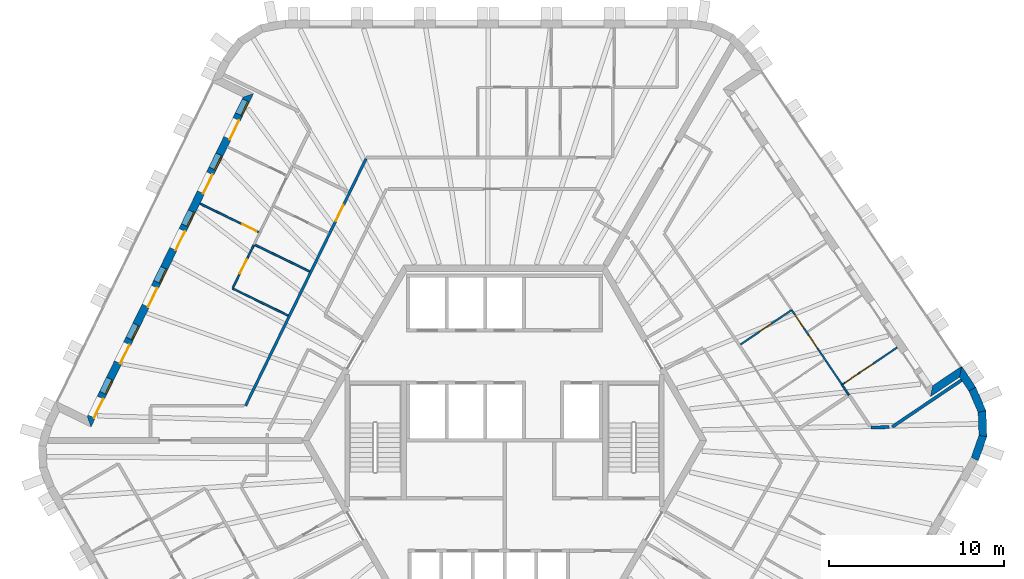
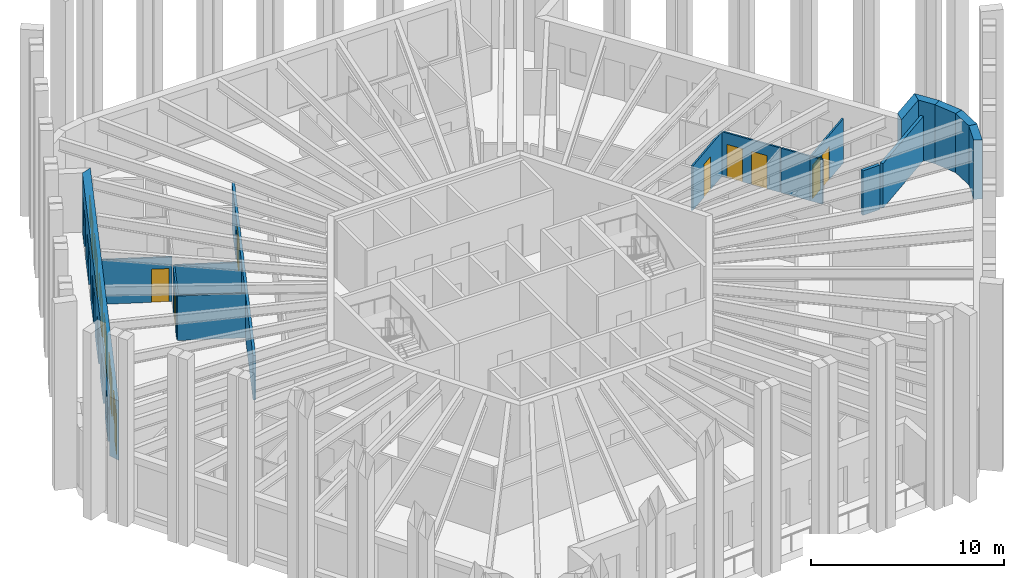
# One storey, part 7 of 12: 18 walls, 14 doors, 6 windows, 20 openings.
"""IFC4 building model written with IfcOpenShell, lengths in metres."""

from ifc_helpers import new_model, si_unit, direction, frame, frame_2d, origin, place, context, subcontext, project, spatial, polyline, rectangle, outline, extrude, material, layer, layer_set, type_object, element, fill, save


model = new_model("IFC4")

# Units and contexts
model_context = context("Model", 3, precision=1e-05, world=origin(), true_north=direction((0.0, 1.0)))
body_context = subcontext(model_context, "Body", "Model", "MODEL_VIEW")
ifc_project = project(units=[si_unit("LENGTHUNIT", "METRE"), si_unit("AREAUNIT", "SQUARE_METRE"), si_unit("VOLUMEUNIT", "CUBIC_METRE"), si_unit("PLANEANGLEUNIT", "RADIAN"), si_unit("MASSUNIT", "GRAM", prefix="KILO")], contexts=[model_context])

# Site, building, storey
site_placement = place(None, origin())
site = spatial("IfcSite", under=ifc_project, at=site_placement, CompositionType="ELEMENT")
building_placement = place(site_placement, origin())
building = spatial("IfcBuilding", under=site, at=building_placement, Name="Tarnside Tower", CompositionType="ELEMENT")
storey_placement = place(building_placement, frame((0.0, 0.0, 349.5)))
storey = spatial("IfcBuildingStorey", under=building, at=storey_placement, Name="L84", CompositionType="ELEMENT", Elevation=349.5)

# Wall
ifc_material_1 = material(Name="Gypsum board partition on steel studs", Category="steel")
ifc_layer_1 = layer(ifc_material_1, 0.10009765625)
ifc_layer_set_1 = layer_set([ifc_layer_1], Name="Bathroom wall 100")
wall_type_1 = type_object("IfcWallType", Name="Bathroom wall 100", PredefinedType="PARTITIONING", material=ifc_layer_set_1)
wall_1_placement = place(storey_placement, frame((-14.246337890625, 11.167236328125, 0.0), z_axis=(0.0, 0.0, 1.0), x_axis=(0.89880963085, -0.438339192283, 0.0)))
element("IfcWall", 1, at=wall_1_placement, inside=storey, type_object=wall_type_1, Name="Bathroom wall 27091", PredefinedType="PARTITIONING", context=body_context, shape_type="SweptSolid", body=[
    extrude(rectangle(XDim=3.474853515625, YDim=0.10009765625, at=frame_2d((1.7373046875, 0.0))), origin(), (0.0, 0.0, 1.0), 2.820068359375),
])

# Wall, opening, door
wall_2_placement = place(storey_placement, frame((16.388427734375, 7.4453125, 0.0), z_axis=(0.0, 0.0, 1.0), x_axis=(-0.829033300448, -0.559199237078, 0.0)))
wall_2 = element("IfcWall", 2, at=wall_2_placement, inside=storey, type_object=wall_type_1, Name="Bathroom wall 27125", PredefinedType="PARTITIONING", context=body_context, shape_type="SweptSolid", body=[
    extrude(rectangle(XDim=3.525146484375, YDim=0.10009765625, at=frame_2d((1.7626953125, 0.0))), origin(), (0.0, 0.0, 1.0), 2.820068359375),
])
opening_1_placement = place(wall_2_placement, frame((1.39990234375, 0.0, 0.0)))
opening_1 = element("IfcOpeningElement", 3, at=opening_1_placement, cuts=wall_2, Name="Opening D-B1", PredefinedType="OPENING", context=body_context, shape_type="SweptSolid", body=[
    extrude(rectangle(XDim=0.800048828125, YDim=2.10009765625, at=frame_2d((0.39990234375, 1.050048828125))), frame((0.0, 0.06005859375, 0.0), z_axis=(0.0, -1.0, 0.0), x_axis=(1.0, 0.0, 0.0)), (0.0, 0.0, 1.0), 0.1201171875),
])
ifc_material_2 = material(Name="Timber door leaf", Category="wood")
door_type_1 = type_object("IfcDoorType", Name="Bathroom door 800", OperationType="NOTDEFINED", PredefinedType="DOOR", material=ifc_material_2)
door_1_placement = place(opening_1_placement, origin())
door_1 = element("IfcDoor", 4, at=door_1_placement, inside=storey, type_object=door_type_1, Name="Bathroom door 27056", OperationType="SINGLE_SWING_LEFT", OverallHeight=2.10009765625, OverallWidth=0.800048828125, PredefinedType="DOOR", context=body_context, shape_type="SweptSolid", body=[
    extrude(rectangle(XDim=0.800048828125, YDim=2.10009765625, at=frame_2d((0.39990234375, 1.050048828125))), frame((0.0, 0.02490234375, 0.0), z_axis=(0.0, -1.0, 0.0), x_axis=(1.0, 0.0, 0.0)), (0.0, 0.0, 1.0), 0.050048828125),
])
fill(opening_1, door_1)

# Walls
wall_3_placement = place(storey_placement, frame((19.660888671875, 2.59375, 0.0), z_axis=(0.0, 0.0, 1.0), x_axis=(-0.559278611344, 0.828979755418, 0.0)))
element("IfcWall", 5, at=wall_3_placement, inside=storey, type_object=wall_type_1, Name="Bathroom wall 27126", PredefinedType="PARTITIONING", context=body_context, shape_type="SweptSolid", body=[
    extrude(rectangle(XDim=0.71240234375, YDim=0.10009765625, at=frame_2d((0.356201171875, 0.0))), origin(), (0.0, 0.0, 1.0), 2.820068359375),
])
wall_4_placement = place(storey_placement, frame((19.262451171875, 3.184326171875, 0.0), z_axis=(0.0, 0.0, 1.0), x_axis=(-0.559155511525, 0.829062792514, 0.0)))
element("IfcWall", 6, at=wall_4_placement, inside=storey, type_object=wall_type_1, Name="Bathroom wall 27127", PredefinedType="PARTITIONING", context=body_context, shape_type="SweptSolid", body=[
    extrude(rectangle(XDim=1.69140625, YDim=0.10009765625, at=frame_2d((0.845703125, 0.0))), origin(), (0.0, 0.0, 1.0), 2.820068359375),
])

# Wall, opening, door
ifc_layer_2 = layer(ifc_material_1, 0.14990234375)
ifc_layer_set_2 = layer_set([ifc_layer_2], Name="Corridor wall 150 EI 60")
wall_type_2 = type_object("IfcWallType", Name="Corridor wall 150 EI 60", PredefinedType="PARTITIONING", material=ifc_layer_set_2)
wall_5_placement = place(storey_placement, frame((-7.903076171875, 16.074951171875, 0.0), z_axis=(0.0, 0.0, 1.0), x_axis=(-0.438364761272, -0.898797160696, 0.0)))
wall_5 = element("IfcWall", 7, at=wall_5_placement, inside=storey, type_object=wall_type_2, Name="Corridor wall 27002", PredefinedType="PARTITIONING", context=body_context, shape_type="SweptSolid", body=[
    extrude(rectangle(XDim=15.687744140625, YDim=0.14990234375, at=frame_2d((7.84375, 0.0))), origin(), (0.0, 0.0, 1.0), 2.820068359375),
])
opening_2_placement = place(wall_5_placement, frame((2.941650390625, 0.0, 0.0)))
opening_2 = element("IfcOpeningElement", 8, at=opening_2_placement, cuts=wall_5, Name="Opening D-E1", PredefinedType="OPENING", context=body_context, shape_type="SweptSolid", body=[
    extrude(rectangle(XDim=1.0, YDim=2.10009765625, at=frame_2d((0.5, 1.050048828125))), frame((0.0, 0.0849609375, 0.0), z_axis=(0.0, -1.0, 0.0), x_axis=(1.0, 0.0, 0.0)), (0.0, 0.0, 1.0), 0.169921875),
])
door_type_2 = type_object("IfcDoorType", Name="Unit entrance door 1000 FD30S", OperationType="NOTDEFINED", PredefinedType="DOOR", material=ifc_material_2)
door_2_placement = place(opening_2_placement, origin())
door_2 = element("IfcDoor", 9, at=door_2_placement, inside=storey, type_object=door_type_2, Name="Unit door 27011", OperationType="SINGLE_SWING_LEFT", OverallHeight=2.10009765625, OverallWidth=1.0, PredefinedType="DOOR", context=body_context, shape_type="SweptSolid", body=[
    extrude(rectangle(XDim=1.0, YDim=2.10009765625, at=frame_2d((0.5, 1.050048828125))), frame((0.0, 0.02490234375, 0.0), z_axis=(0.0, -1.0, 0.0), x_axis=(1.0, 0.0, 0.0)), (0.0, 0.0, 1.0), 0.050048828125),
])
fill(opening_2, door_2)

# Walls
ifc_layer_3 = layer(ifc_material_1, 0.179931640625)
ifc_layer_set_3 = layer_set([ifc_layer_3], Name="Demising wall 180 EI 60")
wall_type_3 = type_object("IfcWallType", Name="Demising wall 180 EI 60", PredefinedType="PARTITIONING", material=ifc_layer_set_3)
wall_6_placement = place(storey_placement, frame((26.083984375, 3.443115234375, 0.0), z_axis=(0.0, 0.0, 1.0), x_axis=(-0.829033545972, -0.559198873079, 0.0)))
element("IfcWall", 10, at=wall_6_placement, inside=storey, type_object=wall_type_3, Name="Demising wall 27110", PredefinedType="PARTITIONING", context=body_context, shape_type="SweptSolid", body=[
    extrude(rectangle(XDim=4.775390625, YDim=0.179931640625, at=frame_2d((2.3876953125, 0.0))), origin(), (0.0, 0.0, 1.0), 2.820068359375),
])
wall_7_placement = place(storey_placement, frame((21.955322265625, 0.7666015625, 0.0), z_axis=(0.0, 0.0, 1.0), x_axis=(-0.999394211814, -0.034802433729, 0.0)))
element("IfcWall", 11, at=wall_7_placement, inside=storey, type_object=wall_type_3, Name="Demising wall 27111", PredefinedType="PARTITIONING", context=body_context, shape_type="SweptSolid", body=[
    extrude(rectangle(XDim=1.038330078125, YDim=0.179931640625, at=frame_2d((0.51904296875, 0.0))), origin(), (0.0, 0.0, 1.0), 2.820068359375),
])

# Wall, openings, doors, windows
ifc_material_3 = material(Name="Dark zinc cladding")
ifc_layer_4 = layer(ifc_material_3, 0.10205078125)
ifc_material_4 = material(Name="Concrete C60/75 precast", Category="concrete")
ifc_layer_5 = layer(ifc_material_4, 0.248046875)
ifc_material_5 = material(Name="Mineral wool insulation")
ifc_layer_6 = layer(ifc_material_5, 0.10009765625)
ifc_layer_set_4 = layer_set([ifc_layer_4, ifc_layer_5, ifc_layer_6], Name="Loggia wall 450 zinc faced")
wall_type_4 = type_object("IfcWallType", Name="Loggia wall 450 zinc faced", PredefinedType="SOLIDWALL", material=ifc_layer_set_4)
wall_8_placement = place(storey_placement, frame((-14.618896484375, 19.699462890625, 0.0), z_axis=(0.0, 0.0, 1.0), x_axis=(-0.438373747484, -0.898792777851, 0.0)))
wall_8 = element("IfcWall", 12, at=wall_8_placement, inside=storey, type_object=wall_type_4, Name="Tube wall L84 F2 back 06", PredefinedType="SOLIDWALL", context=body_context, shape_type="SweptSolid", body=[
    extrude(outline(polyline([(0.224853515625, -0.22509765625), (20.50634765625, -0.22509765625), (20.95654296875, 0.22509765625), (-0.224853515625, 0.22509765625), (0.224853515625, -0.22509765625)])), origin(), (0.0, 0.0, 1.0), 3.75),
])
opening_3_placement = place(wall_8_placement, frame((0.324951171875, 0.0, 0.89990234375)))
opening_3 = element("IfcOpeningElement", 13, at=opening_3_placement, cuts=wall_8, Name="Opening WL450", PredefinedType="OPENING", context=body_context, shape_type="SweptSolid", body=[
    extrude(rectangle(XDim=0.89990234375, YDim=1.5, at=frame_2d((0.449951171875, 0.75))), frame((0.0, 0.23486328125, 0.0), z_axis=(0.0, -1.0, 0.0), x_axis=(1.0, 0.0, 0.0)), (0.0, 0.0, 1.0), 0.469970703125),
])
opening_4_placement = place(wall_8_placement, frame((1.52490234375, 0.0, 0.0)))
opening_4 = element("IfcOpeningElement", 14, at=opening_4_placement, cuts=wall_8, Name="Opening DB450", PredefinedType="OPENING", context=body_context, shape_type="SweptSolid", body=[
    extrude(rectangle(XDim=1.199951171875, YDim=2.39990234375, at=frame_2d((0.60009765625, 1.199951171875))), frame((0.0, 0.23486328125, 0.0), z_axis=(0.0, -1.0, 0.0), x_axis=(1.0, 0.0, 0.0)), (0.0, 0.0, 1.0), 0.469970703125),
])
opening_5_placement = place(wall_8_placement, frame((3.765869140625, 0.0, 0.89990234375)))
opening_5 = element("IfcOpeningElement", 15, at=opening_5_placement, cuts=wall_8, Name="Opening WL450", PredefinedType="OPENING", context=body_context, shape_type="SweptSolid", body=[
    extrude(rectangle(XDim=0.89990234375, YDim=1.5, at=frame_2d((0.449951171875, 0.75))), frame((0.0, 0.23486328125, 0.0), z_axis=(0.0, -1.0, 0.0), x_axis=(1.0, 0.0, 0.0)), (0.0, 0.0, 1.0), 0.469970703125),
])
opening_6_placement = place(wall_8_placement, frame((4.9658203125, 0.0, 0.0)))
opening_6 = element("IfcOpeningElement", 16, at=opening_6_placement, cuts=wall_8, Name="Opening DB450", PredefinedType="OPENING", context=body_context, shape_type="SweptSolid", body=[
    extrude(rectangle(XDim=1.199951171875, YDim=2.39990234375, at=frame_2d((0.60009765625, 1.199951171875))), frame((0.0, 0.23486328125, 0.0), z_axis=(0.0, -1.0, 0.0), x_axis=(1.0, 0.0, 0.0)), (0.0, 0.0, 1.0), 0.469970703125),
])
opening_7_placement = place(wall_8_placement, frame((7.36572265625, 0.0, 0.89990234375)))
opening_7 = element("IfcOpeningElement", 17, at=opening_7_placement, cuts=wall_8, Name="Opening WL450", PredefinedType="OPENING", context=body_context, shape_type="SweptSolid", body=[
    extrude(rectangle(XDim=0.89990234375, YDim=1.5, at=frame_2d((0.449951171875, 0.75))), frame((0.0, 0.23486328125, 0.0), z_axis=(0.0, -1.0, 0.0), x_axis=(1.0, 0.0, 0.0)), (0.0, 0.0, 1.0), 0.469970703125),
])
opening_8_placement = place(wall_8_placement, frame((8.56591796875, 0.0, 0.0)))
opening_8 = element("IfcOpeningElement", 18, at=opening_8_placement, cuts=wall_8, Name="Opening DB450", PredefinedType="OPENING", context=body_context, shape_type="SweptSolid", body=[
    extrude(rectangle(XDim=1.199951171875, YDim=2.39990234375, at=frame_2d((0.60009765625, 1.199951171875))), frame((0.0, 0.23486328125, 0.0), z_axis=(0.0, -1.0, 0.0), x_axis=(1.0, 0.0, 0.0)), (0.0, 0.0, 1.0), 0.469970703125),
])
opening_9_placement = place(wall_8_placement, frame((10.9658203125, 0.0, 0.89990234375)))
opening_9 = element("IfcOpeningElement", 19, at=opening_9_placement, cuts=wall_8, Name="Opening WL450", PredefinedType="OPENING", context=body_context, shape_type="SweptSolid", body=[
    extrude(rectangle(XDim=0.89990234375, YDim=1.5, at=frame_2d((0.449951171875, 0.75))), frame((0.0, 0.23486328125, 0.0), z_axis=(0.0, -1.0, 0.0), x_axis=(1.0, 0.0, 0.0)), (0.0, 0.0, 1.0), 0.469970703125),
])
opening_10_placement = place(wall_8_placement, frame((12.165771484375, 0.0, 0.0)))
opening_10 = element("IfcOpeningElement", 20, at=opening_10_placement, cuts=wall_8, Name="Opening DB450", PredefinedType="OPENING", context=body_context, shape_type="SweptSolid", body=[
    extrude(rectangle(XDim=1.199951171875, YDim=2.39990234375, at=frame_2d((0.60009765625, 1.199951171875))), frame((0.0, 0.23486328125, 0.0), z_axis=(0.0, -1.0, 0.0), x_axis=(1.0, 0.0, 0.0)), (0.0, 0.0, 1.0), 0.469970703125),
])
opening_11_placement = place(wall_8_placement, frame((14.56591796875, 0.0, 0.89990234375)))
opening_11 = element("IfcOpeningElement", 21, at=opening_11_placement, cuts=wall_8, Name="Opening WL450", PredefinedType="OPENING", context=body_context, shape_type="SweptSolid", body=[
    extrude(rectangle(XDim=0.89990234375, YDim=1.5, at=frame_2d((0.449951171875, 0.75))), frame((0.0, 0.23486328125, 0.0), z_axis=(0.0, -1.0, 0.0), x_axis=(1.0, 0.0, 0.0)), (0.0, 0.0, 1.0), 0.469970703125),
])
opening_12_placement = place(wall_8_placement, frame((15.765869140625, 0.0, 0.0)))
opening_12 = element("IfcOpeningElement", 22, at=opening_12_placement, cuts=wall_8, Name="Opening DB450", PredefinedType="OPENING", context=body_context, shape_type="SweptSolid", body=[
    extrude(rectangle(XDim=1.199951171875, YDim=2.39990234375, at=frame_2d((0.60009765625, 1.199951171875))), frame((0.0, 0.23486328125, 0.0), z_axis=(0.0, -1.0, 0.0), x_axis=(1.0, 0.0, 0.0)), (0.0, 0.0, 1.0), 0.469970703125),
])
opening_13_placement = place(wall_8_placement, frame((18.006591796875, 0.0, 0.89990234375)))
opening_13 = element("IfcOpeningElement", 23, at=opening_13_placement, cuts=wall_8, Name="Opening WL450", PredefinedType="OPENING", context=body_context, shape_type="SweptSolid", body=[
    extrude(rectangle(XDim=0.89990234375, YDim=1.5, at=frame_2d((0.449951171875, 0.75))), frame((0.0, 0.23486328125, 0.0), z_axis=(0.0, -1.0, 0.0), x_axis=(1.0, 0.0, 0.0)), (0.0, 0.0, 1.0), 0.469970703125),
])
opening_14_placement = place(wall_8_placement, frame((19.20654296875, 0.0, 0.0)))
opening_14 = element("IfcOpeningElement", 24, at=opening_14_placement, cuts=wall_8, Name="Opening DB450", PredefinedType="OPENING", context=body_context, shape_type="SweptSolid", body=[
    extrude(rectangle(XDim=1.199951171875, YDim=2.39990234375, at=frame_2d((0.60009765625, 1.199951171875))), frame((0.0, 0.23486328125, 0.0), z_axis=(0.0, -1.0, 0.0), x_axis=(1.0, 0.0, 0.0)), (0.0, 0.0, 1.0), 0.469970703125),
])
ifc_material_6 = material(Name="Aluminium-framed double glazing", Category="aluminium")
door_type_3 = type_object("IfcDoorType", Name="Balcony sliding door 1200 x 2400 in 450 wall", OperationType="SLIDING_TO_LEFT", PredefinedType="DOOR", material=ifc_material_6)
door_3_placement = place(opening_4_placement, frame((0.0, 0.150146484375, 0.0)))
door_3 = element("IfcDoor", 25, at=door_3_placement, inside=storey, type_object=door_type_3, Name="E.BD.L84.F2.00", OperationType="SLIDING_TO_LEFT", OverallHeight=2.39990234375, OverallWidth=1.199951171875, PredefinedType="DOOR", context=body_context, shape_type="SweptSolid", body=[
    extrude(rectangle(XDim=1.199951171875, YDim=2.39990234375, at=frame_2d((0.60009765625, 1.199951171875))), frame((0.0, 0.02490234375, 0.0), z_axis=(0.0, -1.0, 0.0), x_axis=(1.0, 0.0, 0.0)), (0.0, 0.0, 1.0), 0.050048828125),
])
fill(opening_4, door_3)
door_4_placement = place(opening_6_placement, frame((0.0, 0.150146484375, 0.0)))
door_4 = element("IfcDoor", 26, at=door_4_placement, inside=storey, type_object=door_type_3, Name="E.BD.L84.F2.01", OperationType="SLIDING_TO_LEFT", OverallHeight=2.39990234375, OverallWidth=1.199951171875, PredefinedType="DOOR", context=body_context, shape_type="SweptSolid", body=[
    extrude(rectangle(XDim=1.199951171875, YDim=2.39990234375, at=frame_2d((0.60009765625, 1.199951171875))), frame((0.0, 0.02490234375, 0.0), z_axis=(0.0, -1.0, 0.0), x_axis=(1.0, 0.0, 0.0)), (0.0, 0.0, 1.0), 0.050048828125),
])
fill(opening_6, door_4)
door_5_placement = place(opening_8_placement, frame((0.0, 0.150146484375, 0.0)))
door_5 = element("IfcDoor", 27, at=door_5_placement, inside=storey, type_object=door_type_3, Name="E.BD.L84.F2.02", OperationType="SLIDING_TO_LEFT", OverallHeight=2.39990234375, OverallWidth=1.199951171875, PredefinedType="DOOR", context=body_context, shape_type="SweptSolid", body=[
    extrude(rectangle(XDim=1.199951171875, YDim=2.39990234375, at=frame_2d((0.60009765625, 1.199951171875))), frame((0.0, 0.02490234375, 0.0), z_axis=(0.0, -1.0, 0.0), x_axis=(1.0, 0.0, 0.0)), (0.0, 0.0, 1.0), 0.050048828125),
])
fill(opening_8, door_5)
door_6_placement = place(opening_10_placement, frame((0.0, 0.150146484375, 0.0)))
door_6 = element("IfcDoor", 28, at=door_6_placement, inside=storey, type_object=door_type_3, Name="E.BD.L84.F2.03", OperationType="SLIDING_TO_LEFT", OverallHeight=2.39990234375, OverallWidth=1.199951171875, PredefinedType="DOOR", context=body_context, shape_type="SweptSolid", body=[
    extrude(rectangle(XDim=1.199951171875, YDim=2.39990234375, at=frame_2d((0.60009765625, 1.199951171875))), frame((0.0, 0.02490234375, 0.0), z_axis=(0.0, -1.0, 0.0), x_axis=(1.0, 0.0, 0.0)), (0.0, 0.0, 1.0), 0.050048828125),
])
fill(opening_10, door_6)
door_7_placement = place(opening_12_placement, frame((0.0, 0.150146484375, 0.0)))
door_7 = element("IfcDoor", 29, at=door_7_placement, inside=storey, type_object=door_type_3, Name="E.BD.L84.F2.04", OperationType="SLIDING_TO_LEFT", OverallHeight=2.39990234375, OverallWidth=1.199951171875, PredefinedType="DOOR", context=body_context, shape_type="SweptSolid", body=[
    extrude(rectangle(XDim=1.199951171875, YDim=2.39990234375, at=frame_2d((0.60009765625, 1.199951171875))), frame((0.0, 0.02490234375, 0.0), z_axis=(0.0, -1.0, 0.0), x_axis=(1.0, 0.0, 0.0)), (0.0, 0.0, 1.0), 0.050048828125),
])
fill(opening_12, door_7)
door_8_placement = place(opening_14_placement, frame((0.0, 0.150146484375, 0.0)))
door_8 = element("IfcDoor", 30, at=door_8_placement, inside=storey, type_object=door_type_3, Name="E.BD.L84.F2.05", OperationType="SLIDING_TO_LEFT", OverallHeight=2.39990234375, OverallWidth=1.199951171875, PredefinedType="DOOR", context=body_context, shape_type="SweptSolid", body=[
    extrude(rectangle(XDim=1.199951171875, YDim=2.39990234375, at=frame_2d((0.60009765625, 1.199951171875))), frame((0.0, 0.02490234375, 0.0), z_axis=(0.0, -1.0, 0.0), x_axis=(1.0, 0.0, 0.0)), (0.0, 0.0, 1.0), 0.050048828125),
])
fill(opening_14, door_8)
window_type = type_object("IfcWindowType", Name="Loggia window 900 x 1500 in 450 wall", PartitioningType="SINGLE_PANEL", PredefinedType="WINDOW", material=ifc_material_6)
window_1_placement = place(opening_3_placement, frame((0.0, 0.1552734375, 0.0)))
window_1 = element("IfcWindow", 31, at=window_1_placement, inside=storey, type_object=window_type, Name="E.LW.L84.F2.00", OverallHeight=1.5, OverallWidth=0.89990234375, PartitioningType="SINGLE_PANEL", PredefinedType="WINDOW", context=body_context, shape_type="SweptSolid", body=[
    extrude(rectangle(XDim=0.89990234375, YDim=1.5, at=frame_2d((0.449951171875, 0.75))), frame((0.0, 0.030029296875, 0.0), z_axis=(0.0, -1.0, 0.0), x_axis=(1.0, 0.0, 0.0)), (0.0, 0.0, 1.0), 0.06005859375),
])
fill(opening_3, window_1)
window_2_placement = place(opening_5_placement, frame((0.0, 0.1552734375, 0.0)))
window_2 = element("IfcWindow", 32, at=window_2_placement, inside=storey, type_object=window_type, Name="E.LW.L84.F2.01", OverallHeight=1.5, OverallWidth=0.89990234375, PartitioningType="SINGLE_PANEL", PredefinedType="WINDOW", context=body_context, shape_type="SweptSolid", body=[
    extrude(rectangle(XDim=0.89990234375, YDim=1.5, at=frame_2d((0.449951171875, 0.75))), frame((0.0, 0.030029296875, 0.0), z_axis=(0.0, -1.0, 0.0), x_axis=(1.0, 0.0, 0.0)), (0.0, 0.0, 1.0), 0.06005859375),
])
fill(opening_5, window_2)
window_3_placement = place(opening_7_placement, frame((0.0, 0.1552734375, 0.0)))
window_3 = element("IfcWindow", 33, at=window_3_placement, inside=storey, type_object=window_type, Name="E.LW.L84.F2.02", OverallHeight=1.5, OverallWidth=0.89990234375, PartitioningType="SINGLE_PANEL", PredefinedType="WINDOW", context=body_context, shape_type="SweptSolid", body=[
    extrude(rectangle(XDim=0.89990234375, YDim=1.5, at=frame_2d((0.449951171875, 0.75))), frame((0.0, 0.030029296875, 0.0), z_axis=(0.0, -1.0, 0.0), x_axis=(1.0, 0.0, 0.0)), (0.0, 0.0, 1.0), 0.06005859375),
])
fill(opening_7, window_3)
window_4_placement = place(opening_9_placement, frame((0.0, 0.1552734375, 0.0)))
window_4 = element("IfcWindow", 34, at=window_4_placement, inside=storey, type_object=window_type, Name="E.LW.L84.F2.03", OverallHeight=1.5, OverallWidth=0.89990234375, PartitioningType="SINGLE_PANEL", PredefinedType="WINDOW", context=body_context, shape_type="SweptSolid", body=[
    extrude(rectangle(XDim=0.89990234375, YDim=1.5, at=frame_2d((0.449951171875, 0.75))), frame((0.0, 0.030029296875, 0.0), z_axis=(0.0, -1.0, 0.0), x_axis=(1.0, 0.0, 0.0)), (0.0, 0.0, 1.0), 0.06005859375),
])
fill(opening_9, window_4)
window_5_placement = place(opening_11_placement, frame((0.0, 0.1552734375, 0.0)))
window_5 = element("IfcWindow", 35, at=window_5_placement, inside=storey, type_object=window_type, Name="E.LW.L84.F2.04", OverallHeight=1.5, OverallWidth=0.89990234375, PartitioningType="SINGLE_PANEL", PredefinedType="WINDOW", context=body_context, shape_type="SweptSolid", body=[
    extrude(rectangle(XDim=0.89990234375, YDim=1.5, at=frame_2d((0.449951171875, 0.75))), frame((0.0, 0.030029296875, 0.0), z_axis=(0.0, -1.0, 0.0), x_axis=(1.0, 0.0, 0.0)), (0.0, 0.0, 1.0), 0.06005859375),
])
fill(opening_11, window_5)
window_6_placement = place(opening_13_placement, frame((0.0, 0.1552734375, 0.0)))
window_6 = element("IfcWindow", 36, at=window_6_placement, inside=storey, type_object=window_type, Name="E.LW.L84.F2.05", OverallHeight=1.5, OverallWidth=0.89990234375, PartitioningType="SINGLE_PANEL", PredefinedType="WINDOW", context=body_context, shape_type="SweptSolid", body=[
    extrude(rectangle(XDim=0.89990234375, YDim=1.5, at=frame_2d((0.449951171875, 0.75))), frame((0.0, 0.030029296875, 0.0), z_axis=(0.0, -1.0, 0.0), x_axis=(1.0, 0.0, 0.0)), (0.0, 0.0, 1.0), 0.06005859375),
])
fill(opening_13, window_6)

# Walls
wall_9_placement = place(storey_placement, frame((26.69873046875, 2.93408203125, 0.0), z_axis=(0.0, 0.0, 1.0), x_axis=(-0.559105892217, 0.829096255744, 0.0)))
element("IfcWall", 37, at=wall_9_placement, inside=storey, type_object=wall_type_4, Name="Tube wall L84 F6 stub 28", PredefinedType="SOLIDWALL", context=body_context, shape_type="SweptSolid", body=[
    extrude(outline(polyline([(-0.02099609375, -0.22509765625), (1.4248046875, -0.22509765625), (0.97509765625, 0.22509765625), (0.02099609375, 0.22509765625), (-0.02099609375, -0.22509765625)])), origin(), (0.0, 0.0, 1.0), 3.75),
])
wall_10_placement = place(storey_placement, frame((26.02783203125, 3.928955078125, 0.0), z_axis=(0.0, 0.0, 1.0), x_axis=(-0.829052389485, -0.559170935841, 0.0)))
element("IfcWall", 38, at=wall_10_placement, inside=storey, type_object=wall_type_4, Name="Tube wall L84 F6 return 29", PredefinedType="SOLIDWALL", context=body_context, shape_type="SweptSolid", body=[
    extrude(outline(polyline([(-0.224853515625, -0.22509765625), (1.77490234375, -0.22509765625), (2.22509765625, 0.22509765625), (0.224853515625, 0.22509765625), (-0.224853515625, -0.22509765625)])), origin(), (0.0, 0.0, 1.0), 3.75),
])

# Wall, opening, door
ifc_layer_7 = layer(ifc_material_1, 0.10009765625)
ifc_layer_set_5 = layer_set([ifc_layer_7], Name="Partition 100")
wall_type_5 = type_object("IfcWallType", Name="Partition 100", PredefinedType="PARTITIONING", material=ifc_layer_set_5)
wall_11_placement = place(storey_placement, frame((-14.011962890625, 11.8759765625, 0.0), z_axis=(0.0, 0.0, 1.0), x_axis=(-0.898810362659, 0.438337691713, 0.0)))
wall_11 = element("IfcWall", 39, at=wall_11_placement, inside=storey, type_object=wall_type_5, Name="Partition wall 27084", PredefinedType="PARTITIONING", context=body_context, shape_type="SweptSolid", body=[
    extrude(rectangle(XDim=3.75, YDim=0.10009765625, at=frame_2d((1.875, 0.0))), origin(), (0.0, 0.0, 1.0), 2.820068359375),
])
opening_15_placement = place(wall_11_placement, frame((0.14990234375, 0.0, 0.0)))
opening_15 = element("IfcOpeningElement", 40, at=opening_15_placement, cuts=wall_11, Name="Opening D-I1", PredefinedType="OPENING", context=body_context, shape_type="SweptSolid", body=[
    extrude(rectangle(XDim=0.89990234375, YDim=2.10009765625, at=frame_2d((0.449951171875, 1.050048828125))), frame((0.0, 0.06005859375, 0.0), z_axis=(0.0, -1.0, 0.0), x_axis=(1.0, 0.0, 0.0)), (0.0, 0.0, 1.0), 0.1201171875),
])
door_type_4 = type_object("IfcDoorType", Name="Internal door 900", OperationType="NOTDEFINED", PredefinedType="DOOR", material=ifc_material_2)
door_9_placement = place(opening_15_placement, origin())
door_9 = element("IfcDoor", 41, at=door_9_placement, inside=storey, type_object=door_type_4, Name="Internal door 27020", OperationType="SINGLE_SWING_RIGHT", OverallHeight=2.10009765625, OverallWidth=0.89990234375, PredefinedType="DOOR", context=body_context, shape_type="SweptSolid", body=[
    extrude(rectangle(XDim=0.89990234375, YDim=2.10009765625, at=frame_2d((0.449951171875, 1.050048828125))), frame((0.0, 0.02490234375, 0.0), z_axis=(0.0, -1.0, 0.0), x_axis=(1.0, 0.0, 0.0)), (0.0, 0.0, 1.0), 0.050048828125),
])
fill(opening_15, door_9)

# Wall
wall_12_placement = place(storey_placement, frame((-12.3505859375, 7.12744140625, 0.0), z_axis=(0.0, 0.0, 1.0), x_axis=(-0.898802391248, 0.438354036696, 0.0)))
element("IfcWall", 42, at=wall_12_placement, inside=storey, type_object=wall_type_5, Name="Partition wall 27085", PredefinedType="PARTITIONING", context=body_context, shape_type="SweptSolid", body=[
    extrude(rectangle(XDim=3.52490234375, YDim=0.10009765625, at=frame_2d((1.762451171875, 0.0))), origin(), (0.0, 0.0, 1.0), 2.820068359375),
])

# Wall, opening, door
wall_13_placement = place(storey_placement, frame((-15.496826171875, 8.717529296875, 0.0), z_axis=(0.0, 0.0, 1.0), x_axis=(0.438366623032, 0.898796252669, 0.0)))
wall_13 = element("IfcWall", 43, at=wall_13_placement, inside=storey, type_object=wall_type_5, Name="Partition wall 27086", PredefinedType="PARTITIONING", context=body_context, shape_type="SweptSolid", body=[
    extrude(rectangle(XDim=2.699951171875, YDim=0.10009765625, at=frame_2d((1.35009765625, 0.0))), origin(), (0.0, 0.0, 1.0), 2.820068359375),
])
opening_16_placement = place(wall_13_placement, frame((0.89990234375, 0.0, 0.0)))
opening_16 = element("IfcOpeningElement", 44, at=opening_16_placement, cuts=wall_13, Name="Opening D-I1", PredefinedType="OPENING", context=body_context, shape_type="SweptSolid", body=[
    extrude(rectangle(XDim=0.89990234375, YDim=2.10009765625, at=frame_2d((0.449951171875, 1.050048828125))), frame((0.0, 0.06005859375, 0.0), z_axis=(0.0, -1.0, 0.0), x_axis=(1.0, 0.0, 0.0)), (0.0, 0.0, 1.0), 0.1201171875),
])
door_10_placement = place(opening_16_placement, origin())
door_10 = element("IfcDoor", 45, at=door_10_placement, inside=storey, type_object=door_type_4, Name="Internal door 27021", OperationType="SINGLE_SWING_RIGHT", OverallHeight=2.10009765625, OverallWidth=0.89990234375, PredefinedType="DOOR", context=body_context, shape_type="SweptSolid", body=[
    extrude(rectangle(XDim=0.89990234375, YDim=2.10009765625, at=frame_2d((0.449951171875, 1.050048828125))), frame((0.0, 0.02490234375, 0.0), z_axis=(0.0, -1.0, 0.0), x_axis=(1.0, 0.0, 0.0)), (0.0, 0.0, 1.0), 0.050048828125),
])
fill(opening_16, door_10)

# Wall, openings, doors
wall_14_placement = place(storey_placement, frame((18.290771484375, 4.625, 0.0), z_axis=(0.0, 0.0, 1.0), x_axis=(-0.55916115895, 0.82905898362, 0.0)))
wall_14 = element("IfcWall", 46, at=wall_14_placement, inside=storey, type_object=wall_type_5, Name="Partition wall 27123", PredefinedType="PARTITIONING", context=body_context, shape_type="SweptSolid", body=[
    extrude(rectangle(XDim=3.40380859375, YDim=0.10009765625, at=frame_2d((1.701904296875, 0.0))), origin(), (0.0, 0.0, 1.0), 2.820068359375),
])
opening_17_placement = place(wall_14_placement, frame((0.76220703125, 0.0, 0.0)))
opening_17 = element("IfcOpeningElement", 47, at=opening_17_placement, cuts=wall_14, Name="Opening D-I1", PredefinedType="OPENING", context=body_context, shape_type="SweptSolid", body=[
    extrude(rectangle(XDim=0.89990234375, YDim=2.10009765625, at=frame_2d((0.449951171875, 1.050048828125))), frame((0.0, 0.06005859375, 0.0), z_axis=(0.0, -1.0, 0.0), x_axis=(1.0, 0.0, 0.0)), (0.0, 0.0, 1.0), 0.1201171875),
])
opening_18_placement = place(wall_14_placement, frame((2.18212890625, 0.0, 0.0)))
opening_18 = element("IfcOpeningElement", 48, at=opening_18_placement, cuts=wall_14, Name="Opening D-I1", PredefinedType="OPENING", context=body_context, shape_type="SweptSolid", body=[
    extrude(rectangle(XDim=0.89990234375, YDim=2.10009765625, at=frame_2d((0.449951171875, 1.050048828125))), frame((0.0, 0.06005859375, 0.0), z_axis=(0.0, -1.0, 0.0), x_axis=(1.0, 0.0, 0.0)), (0.0, 0.0, 1.0), 0.1201171875),
])
door_11_placement = place(opening_17_placement, origin())
door_11 = element("IfcDoor", 49, at=door_11_placement, inside=storey, type_object=door_type_4, Name="Internal door 27048", OperationType="SINGLE_SWING_LEFT", OverallHeight=2.10009765625, OverallWidth=0.89990234375, PredefinedType="DOOR", context=body_context, shape_type="SweptSolid", body=[
    extrude(rectangle(XDim=0.89990234375, YDim=2.10009765625, at=frame_2d((0.449951171875, 1.050048828125))), frame((0.0, 0.02490234375, 0.0), z_axis=(0.0, -1.0, 0.0), x_axis=(1.0, 0.0, 0.0)), (0.0, 0.0, 1.0), 0.050048828125),
])
fill(opening_17, door_11)
door_12_placement = place(opening_18_placement, origin())
door_12 = element("IfcDoor", 50, at=door_12_placement, inside=storey, type_object=door_type_4, Name="Internal door 27055", OperationType="SINGLE_SWING_LEFT", OverallHeight=2.10009765625, OverallWidth=0.89990234375, PredefinedType="DOOR", context=body_context, shape_type="SweptSolid", body=[
    extrude(rectangle(XDim=0.89990234375, YDim=2.10009765625, at=frame_2d((0.449951171875, 1.050048828125))), frame((0.0, 0.02490234375, 0.0), z_axis=(0.0, -1.0, 0.0), x_axis=(1.0, 0.0, 0.0)), (0.0, 0.0, 1.0), 0.050048828125),
])
fill(opening_18, door_12)

wall_15_placement = place(storey_placement, frame((22.412841796875, 5.309326171875, 0.0), z_axis=(0.0, 0.0, 1.0), x_axis=(-0.829013169089, -0.559229081394, 0.0)))
wall_15 = element("IfcWall", 51, at=wall_15_placement, inside=storey, type_object=wall_type_5, Name="Partition wall 27128", PredefinedType="PARTITIONING", context=body_context, shape_type="SweptSolid", body=[
    extrude(rectangle(XDim=3.75, YDim=0.10009765625, at=frame_2d((1.875, 0.0))), origin(), (0.0, 0.0, 1.0), 2.820068359375),
])
opening_19_placement = place(wall_15_placement, frame((2.699951171875, 0.0, 0.0)))
opening_19 = element("IfcOpeningElement", 52, at=opening_19_placement, cuts=wall_15, Name="Opening D-I1", PredefinedType="OPENING", context=body_context, shape_type="SweptSolid", body=[
    extrude(rectangle(XDim=0.89990234375, YDim=2.10009765625, at=frame_2d((0.449951171875, 1.050048828125))), frame((0.0, 0.06005859375, 0.0), z_axis=(0.0, -1.0, 0.0), x_axis=(1.0, 0.0, 0.0)), (0.0, 0.0, 1.0), 0.1201171875),
])
opening_20_placement = place(wall_15_placement, frame((1.64990234375, 0.0, 0.0)))
opening_20 = element("IfcOpeningElement", 53, at=opening_20_placement, cuts=wall_15, Name="Opening D-I1", PredefinedType="OPENING", context=body_context, shape_type="SweptSolid", body=[
    extrude(rectangle(XDim=0.89990234375, YDim=2.10009765625, at=frame_2d((0.449951171875, 1.050048828125))), frame((0.0, 0.06005859375, 0.0), z_axis=(0.0, -1.0, 0.0), x_axis=(1.0, 0.0, 0.0)), (0.0, 0.0, 1.0), 0.1201171875),
])
door_13_placement = place(opening_19_placement, origin())
door_13 = element("IfcDoor", 54, at=door_13_placement, inside=storey, type_object=door_type_4, Name="Internal door 27051", OperationType="SINGLE_SWING_RIGHT", OverallHeight=2.10009765625, OverallWidth=0.89990234375, PredefinedType="DOOR", context=body_context, shape_type="SweptSolid", body=[
    extrude(rectangle(XDim=0.89990234375, YDim=2.10009765625, at=frame_2d((0.449951171875, 1.050048828125))), frame((0.0, 0.02490234375, 0.0), z_axis=(0.0, -1.0, 0.0), x_axis=(1.0, 0.0, 0.0)), (0.0, 0.0, 1.0), 0.050048828125),
])
fill(opening_19, door_13)
door_14_placement = place(opening_20_placement, origin())
door_14 = element("IfcDoor", 55, at=door_14_placement, inside=storey, type_object=door_type_4, Name="Internal door 27054", OperationType="SINGLE_SWING_LEFT", OverallHeight=2.10009765625, OverallWidth=0.89990234375, PredefinedType="DOOR", context=body_context, shape_type="SweptSolid", body=[
    extrude(rectangle(XDim=0.89990234375, YDim=2.10009765625, at=frame_2d((0.449951171875, 1.050048828125))), frame((0.0, 0.02490234375, 0.0), z_axis=(0.0, -1.0, 0.0), x_axis=(1.0, 0.0, 0.0)), (0.0, 0.0, 1.0), 0.050048828125),
])
fill(opening_20, door_14)

# Walls
ifc_material_7 = material(Name="Facing brick", Category="masonry")
ifc_layer_8 = layer(ifc_material_7, 0.10205078125)
ifc_layer_9 = layer(ifc_material_4, 0.248046875)
ifc_layer_10 = layer(ifc_material_5, 0.10009765625)
ifc_layer_set_6 = layer_set([ifc_layer_8, ifc_layer_9, ifc_layer_10], Name="Tube wall 450 brick faced")
wall_type_6 = type_object("IfcWallType", Name="Tube wall 450 brick faced", PredefinedType="SOLIDWALL", material=ifc_layer_set_6)
wall_16_placement = place(storey_placement, frame((26.83837890625, -1.064453125, 0.0), z_axis=(0.0, 0.0, 1.0), x_axis=(0.331074067573, 0.943604769901, 0.0)))
element("IfcWall", 56, at=wall_16_placement, inside=storey, type_object=wall_type_6, Name="Tube wall L84 F5 chord 25", PredefinedType="SOLIDWALL", context=body_context, shape_type="SweptSolid", body=[
    extrude(outline(polyline([(-0.02099609375, -0.22509765625), (1.43994140625, -0.22509765625), (1.35498046875, 0.22509765625), (0.02099609375, 0.22509765625), (-0.02099609375, -0.22509765625)])), origin(), (0.0, 0.0, 1.0), 3.75),
])
wall_17_placement = place(storey_placement, frame((27.301025390625, 0.254150390625, 0.0), z_axis=(0.0, 0.0, 1.0), x_axis=(-0.034763104447, 0.999395580623, 0.0)))
element("IfcWall", 57, at=wall_17_placement, inside=storey, type_object=wall_type_6, Name="Tube wall L84 F5 chord 26", PredefinedType="SOLIDWALL", context=body_context, shape_type="SweptSolid", body=[
    extrude(outline(polyline([(-0.04248046875, -0.22509765625), (1.43994140625, -0.22509765625), (1.35498046875, 0.22509765625), (0.04248046875, 0.22509765625), (-0.04248046875, -0.22509765625)])), origin(), (0.0, 0.0, 1.0), 3.75),
])
wall_18_placement = place(storey_placement, frame((27.25244140625, 1.65087890625, 0.0), z_axis=(0.0, 0.0, 1.0), x_axis=(-0.396195073027, 0.918166359713, 0.0)))
element("IfcWall", 58, at=wall_18_placement, inside=storey, type_object=wall_type_6, Name="Tube wall L84 F5 chord 27", PredefinedType="SOLIDWALL", context=body_context, shape_type="SweptSolid", body=[
    extrude(outline(polyline([(-0.04248046875, -0.22509765625), (1.41845703125, -0.22509765625), (1.37646484375, 0.22509765625), (0.04248046875, 0.22509765625), (-0.04248046875, -0.22509765625)])), origin(), (0.0, 0.0, 1.0), 3.75),
])

save(model, "model.ifc")
